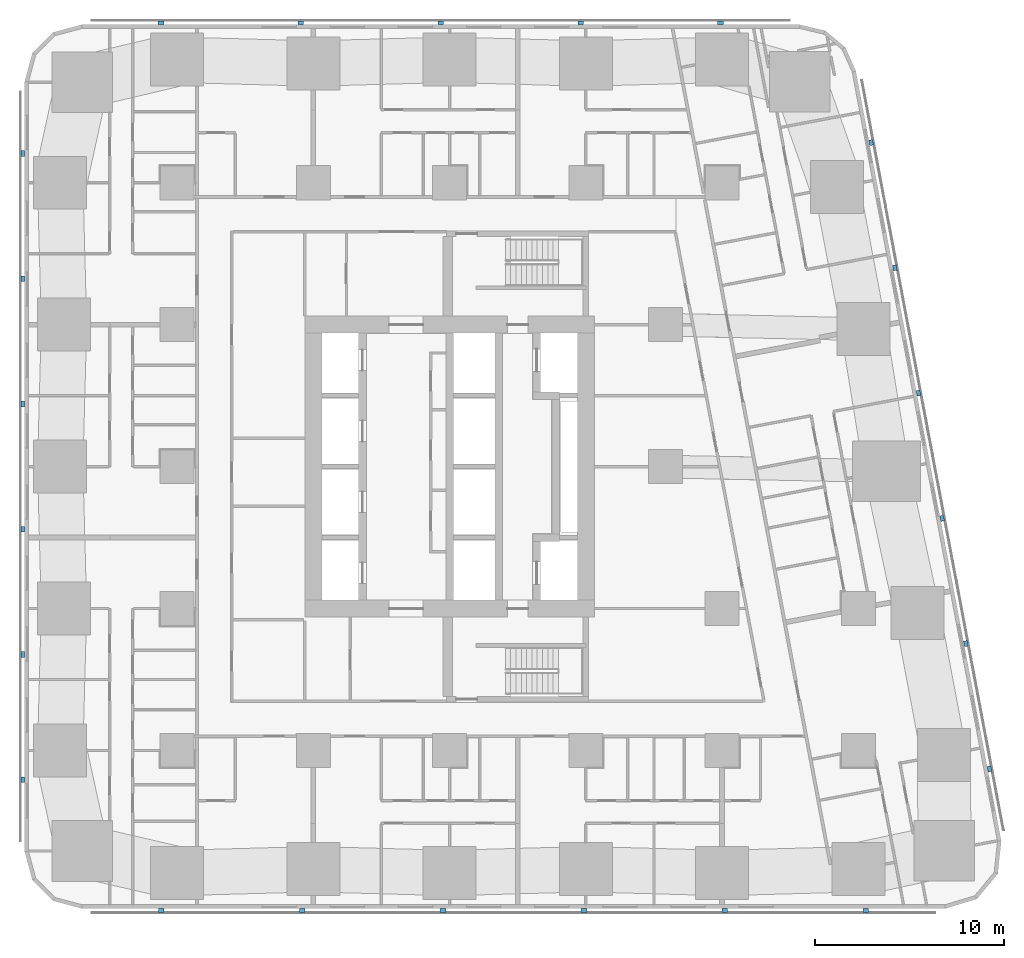
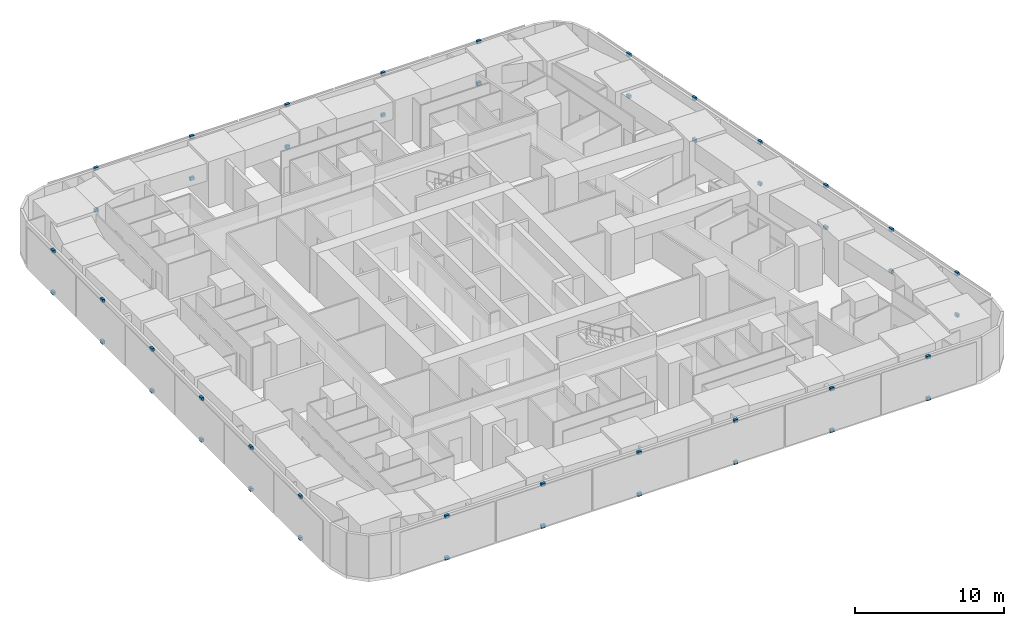
# One storey, part 14 of 18: 46 discrete accessories.
"""IFC4 building model written with IfcOpenShell, lengths in metres."""

from ifc_helpers import new_model, si_unit, direction, frame, origin, origin_2d, place, context, subcontext, project, spatial, rectangle, extrude, material, type_object, element, save


model = new_model("IFC4")

# Units and contexts
model_context = context("Model", 3, precision=1e-05, world=origin(), true_north=direction((0.0, 1.0)))
body_context = subcontext(model_context, "Body", "Model", "MODEL_VIEW")
ifc_project = project(units=[si_unit("LENGTHUNIT", "METRE"), si_unit("AREAUNIT", "SQUARE_METRE"), si_unit("VOLUMEUNIT", "CUBIC_METRE"), si_unit("PLANEANGLEUNIT", "RADIAN"), si_unit("MASSUNIT", "GRAM", prefix="KILO")], contexts=[model_context])

# Site, building, storey
site_placement = place(None, origin())
site = spatial("IfcSite", under=ifc_project, at=site_placement, CompositionType="ELEMENT")
building_placement = place(site_placement, origin())
building = spatial("IfcBuilding", under=site, at=building_placement, Name="Sheger Commons Tower", CompositionType="ELEMENT")
storey_placement = place(building_placement, frame((0.0, 0.0, 31.25)))
storey = spatial("IfcBuildingStorey", under=building, at=storey_placement, Name="L07", CompositionType="ELEMENT", Elevation=31.25)

# Discrete accessories
ifc_material = material(Name="Black painted steel bracket", Category="steel")
discrete_accessory_type = type_object("IfcDiscreteAccessoryType", Name="SCREEN BRACKET 300x200x250", PredefinedType="BRACKET", material=ifc_material)
for number, where, z_axis, x_axis, name in (
    (1, (6.37109375, -0.949951171875, -0.10009765625), (0.0, 0.0, 1.0), (1.0, 0.0, 0.0), "Solar screen foot bracket"),
    (2, (6.37109375, -0.949951171875, 3.300048828125), (0.0, 0.0, 1.0), (1.0, 0.0, 0.0), "Solar screen head bracket"),
    (3, (13.81396484375, -0.949951171875, -0.10009765625), (0.0, 0.0, 1.0), (1.0, 0.0, 0.0), "Solar screen foot bracket"),
    (4, (13.81396484375, -0.949951171875, 3.300048828125), (0.0, 0.0, 1.0), (1.0, 0.0, 0.0), "Solar screen head bracket"),
    (5, (21.257080078125, -0.949951171875, -0.10009765625), (0.0, 0.0, 1.0), (1.0, 0.0, 0.0), "Solar screen foot bracket"),
    (6, (21.257080078125, -0.949951171875, 3.300048828125), (0.0, 0.0, 1.0), (1.0, 0.0, 0.0), "Solar screen head bracket"),
    (7, (28.698974609375, -0.949951171875, -0.10009765625), (0.0, 0.0, 1.0), (1.0, 0.0, 0.0), "Solar screen foot bracket"),
    (8, (28.698974609375, -0.949951171875, 3.300048828125), (0.0, 0.0, 1.0), (1.0, 0.0, 0.0), "Solar screen head bracket"),
    (9, (36.14208984375, -0.949951171875, -0.10009765625), (0.0, 0.0, 1.0), (1.0, 0.0, 0.0), "Solar screen foot bracket"),
    (10, (36.14208984375, -0.949951171875, 3.300048828125), (0.0, 0.0, 1.0), (1.0, 0.0, 0.0), "Solar screen head bracket"),
    (11, (43.5849609375, -0.949951171875, -0.10009765625), (0.0, 0.0, 1.0), (1.0, 0.0, 0.0), "Solar screen foot bracket"),
    (12, (43.5849609375, -0.949951171875, 3.300048828125), (0.0, 0.0, 1.0), (1.0, 0.0, 0.0), "Solar screen head bracket"),
    (13, (50.134033203125, 6.527099609375, -0.10009765625), (0.0, 0.0, 1.0), (-0.185615165645, 0.982622516678, 0.0), "Solar screen foot bracket"),
    (14, (50.134033203125, 6.527099609375, 3.300048828125), (0.0, 0.0, 1.0), (-0.185615165645, 0.982622516678, 0.0), "Solar screen head bracket"),
    (15, (48.884033203125, 13.14599609375, -0.10009765625), (0.0, 0.0, 1.0), (-0.185615165645, 0.982622516678, 0.0), "Solar screen foot bracket"),
    (16, (48.884033203125, 13.14599609375, 3.300048828125), (0.0, 0.0, 1.0), (-0.185615165645, 0.982622516678, 0.0), "Solar screen head bracket"),
    (17, (47.633056640625, 19.76611328125, -0.10009765625), (0.0, 0.0, 1.0), (-0.185615165645, 0.982622516678, 0.0), "Solar screen foot bracket"),
    (18, (47.633056640625, 19.76611328125, 3.300048828125), (0.0, 0.0, 1.0), (-0.185615165645, 0.982622516678, 0.0), "Solar screen head bracket"),
    (19, (46.383056640625, 26.385009765625, -0.10009765625), (0.0, 0.0, 1.0), (-0.185615165645, 0.982622516678, 0.0), "Solar screen foot bracket"),
    (20, (46.383056640625, 26.385009765625, 3.300048828125), (0.0, 0.0, 1.0), (-0.185615165645, 0.982622516678, 0.0), "Solar screen head bracket"),
    (21, (45.133056640625, 33.0048828125, -0.10009765625), (0.0, 0.0, 1.0), (-0.185615165645, 0.982622516678, 0.0), "Solar screen foot bracket"),
    (22, (45.133056640625, 33.0048828125, 3.300048828125), (0.0, 0.0, 1.0), (-0.185615165645, 0.982622516678, 0.0), "Solar screen head bracket"),
    (23, (43.882080078125, 39.6240234375, -0.10009765625), (0.0, 0.0, 1.0), (-0.185615165645, 0.982622516678, 0.0), "Solar screen foot bracket"),
    (24, (43.882080078125, 39.6240234375, 3.300048828125), (0.0, 0.0, 1.0), (-0.185615165645, 0.982622516678, 0.0), "Solar screen head bracket"),
    (25, (35.9208984375, 45.949951171875, -0.10009765625), (0.0, 0.0, 1.0), (-1.0, 0.0, 0.0), "Solar screen foot bracket"),
    (26, (35.9208984375, 45.949951171875, 3.300048828125), (0.0, 0.0, 1.0), (-1.0, 0.0, 0.0), "Solar screen head bracket"),
    (27, (28.528076171875, 45.949951171875, -0.10009765625), (0.0, 0.0, 1.0), (-1.0, 0.0, 0.0), "Solar screen foot bracket"),
    (28, (28.528076171875, 45.949951171875, 3.300048828125), (0.0, 0.0, 1.0), (-1.0, 0.0, 0.0), "Solar screen head bracket"),
    (29, (21.134033203125, 45.949951171875, -0.10009765625), (0.0, 0.0, 1.0), (-1.0, 0.0, 0.0), "Solar screen foot bracket"),
    (30, (21.134033203125, 45.949951171875, 3.300048828125), (0.0, 0.0, 1.0), (-1.0, 0.0, 0.0), "Solar screen head bracket"),
    (31, (13.739990234375, 45.949951171875, -0.10009765625), (0.0, 0.0, 1.0), (-1.0, 0.0, 0.0), "Solar screen foot bracket"),
    (32, (13.739990234375, 45.949951171875, 3.300048828125), (0.0, 0.0, 1.0), (-1.0, 0.0, 0.0), "Solar screen head bracket"),
    (33, (6.346923828125, 45.949951171875, -0.10009765625), (0.0, 0.0, 1.0), (-1.0, 0.0, 0.0), "Solar screen foot bracket"),
    (34, (6.346923828125, 45.949951171875, 3.300048828125), (0.0, 0.0, 1.0), (-1.0, 0.0, 0.0), "Solar screen head bracket"),
    (35, (-0.949951171875, 39.0419921875, -0.10009765625), (0.0, 0.0, 1.0), (0.0, -1.0, 0.0), "Solar screen foot bracket"),
    (36, (-0.949951171875, 39.0419921875, 3.300048828125), (0.0, 0.0, 1.0), (0.0, -1.0, 0.0), "Solar screen head bracket"),
    (37, (-0.949951171875, 32.425048828125, -0.10009765625), (0.0, 0.0, 1.0), (0.0, -1.0, 0.0), "Solar screen foot bracket"),
    (38, (-0.949951171875, 32.425048828125, 3.300048828125), (0.0, 0.0, 1.0), (0.0, -1.0, 0.0), "Solar screen head bracket"),
    (39, (-0.949951171875, 25.80810546875, -0.10009765625), (0.0, 0.0, 1.0), (0.0, -1.0, 0.0), "Solar screen foot bracket"),
    (40, (-0.949951171875, 25.80810546875, 3.300048828125), (0.0, 0.0, 1.0), (0.0, -1.0, 0.0), "Solar screen head bracket"),
    (41, (-0.949951171875, 19.19189453125, -0.10009765625), (0.0, 0.0, 1.0), (0.0, -1.0, 0.0), "Solar screen foot bracket"),
    (42, (-0.949951171875, 19.19189453125, 3.300048828125), (0.0, 0.0, 1.0), (0.0, -1.0, 0.0), "Solar screen head bracket"),
    (43, (-0.949951171875, 12.574951171875, -0.10009765625), (0.0, 0.0, 1.0), (0.0, -1.0, 0.0), "Solar screen foot bracket"),
    (44, (-0.949951171875, 12.574951171875, 3.300048828125), (0.0, 0.0, 1.0), (0.0, -1.0, 0.0), "Solar screen head bracket"),
    (45, (-0.949951171875, 5.9580078125, -0.10009765625), (0.0, 0.0, 1.0), (0.0, -1.0, 0.0), "Solar screen foot bracket"),
    (46, (-0.949951171875, 5.9580078125, 3.300048828125), (0.0, 0.0, 1.0), (0.0, -1.0, 0.0), "Solar screen head bracket"),
):
    element("IfcDiscreteAccessory", number, at=place(storey_placement, frame(where, z_axis=z_axis, x_axis=x_axis)), inside=storey, type_object=discrete_accessory_type, Name=name, PredefinedType="BRACKET", context=body_context, shape_type="SweptSolid", body=[
        extrude(rectangle(XDim=0.300048828125, YDim=0.199951171875, at=origin_2d()), origin(), (0.0, 0.0, 1.0), 0.25),
    ])

save(model, "model.ifc")
